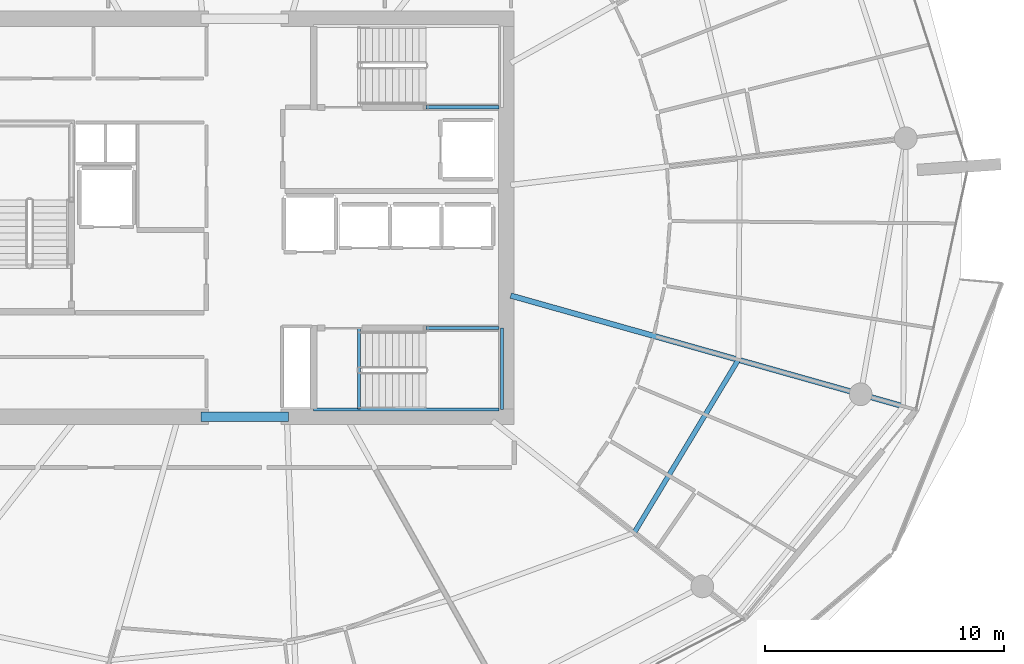
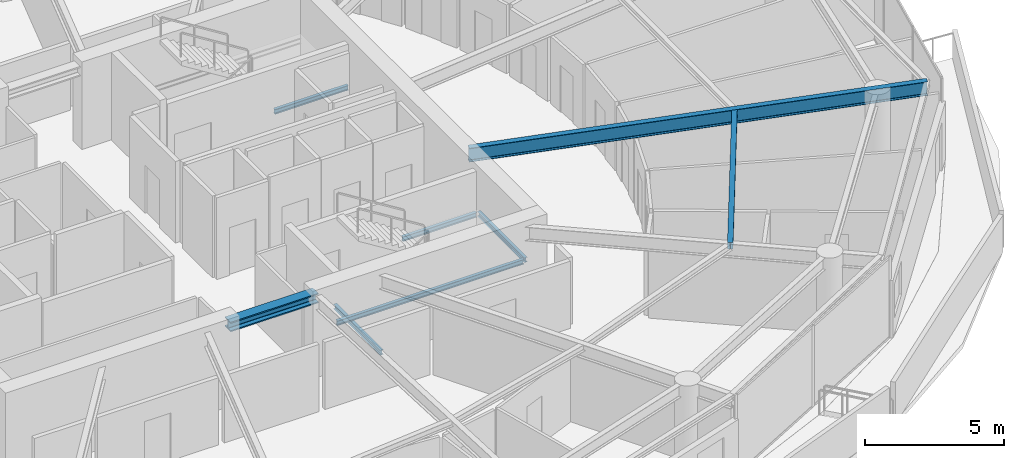
# One storey, part 9 of 30: 8 beams.
"""IFC4 building model written with IfcOpenShell, lengths in metres."""

from ifc_helpers import new_model, si_unit, direction, frame, origin, origin_2d, place, context, subcontext, project, spatial, i_section, extrude, material, material_profile, profile_set, type_object, element, save


model = new_model("IFC4")

# Units and contexts
model_context = context("Model", 3, precision=1e-05, world=origin(), true_north=direction((0.0, 1.0)))
body_context = subcontext(model_context, "Body", "Model", "MODEL_VIEW")
ifc_project = project(units=[si_unit("LENGTHUNIT", "METRE"), si_unit("AREAUNIT", "SQUARE_METRE"), si_unit("VOLUMEUNIT", "CUBIC_METRE"), si_unit("PLANEANGLEUNIT", "RADIAN"), si_unit("MASSUNIT", "GRAM", prefix="KILO")], contexts=[model_context])

# Site, building, storey
site_placement = place(None, origin())
site = spatial("IfcSite", under=ifc_project, at=site_placement, CompositionType="ELEMENT")
building_placement = place(site_placement, origin())
building = spatial("IfcBuilding", under=site, at=building_placement, Name="Kazma Halo Residences", CompositionType="ELEMENT")
storey_placement = place(building_placement, frame((0.0, 0.0, 255.949951171875)))
storey = spatial("IfcBuildingStorey", under=building, at=storey_placement, Name="L64", CompositionType="ELEMENT", Elevation=255.949951171875)

# Beams
ifc_material = material(Name="Steel S355", Category="steel")
ifc_material_profile_1 = material_profile(ifc_material, i_section(OverallWidth=0.408935546875, OverallDepth=0.425048828125, WebThickness=0.03271484375, FlangeThickness=0.052490234375, FilletRadius=0.02001953125, at=origin_2d()), Name="W360x421")
ifc_profile_set_1 = profile_set([ifc_material_profile_1], Name="Steel S355")
beam_type_1 = type_object("IfcBeamType", Name="BM-CORE-W360H", PredefinedType="BEAM", material=ifc_profile_set_1)
beam_1_placement = place(storey_placement, frame((46.60009765625, 33.675048828125, 3.37744140625), z_axis=(1.0, 0.0, 0.0), x_axis=(0.0, 1.0, 0.0)))
element("IfcBeam", 1, at=beam_1_placement, inside=storey, type_object=beam_type_1, Name="L64 core coupling beam S", PredefinedType="BEAM", context=body_context, shape_type="SweptSolid", body=[
    extrude(i_section(OverallWidth=0.408935546875, OverallDepth=0.425048828125, WebThickness=0.03271484375, FlangeThickness=0.052490234375, FilletRadius=0.02001953125, at=origin_2d()), origin(), (0.0, 0.0, 1.0), 3.64990234375),
])
ifc_material_profile_2 = material_profile(ifc_material, i_section(OverallWidth=0.22802734375, OverallDepth=0.60791015625, WebThickness=0.01123046875, FlangeThickness=0.017333984375, FilletRadius=0.01806640625, at=origin_2d()), Name="W610x113")
ifc_profile_set_2 = profile_set([ifc_material_profile_2], Name="Steel S355")
beam_type_2 = type_object("IfcBeamType", Name="BM-RAD-W610", PredefinedType="BEAM", material=ifc_profile_set_2)
beam_2_placement = place(storey_placement, frame((59.550048828125, 38.74267578125, 3.2861328125), z_axis=(0.96245092213, -0.271455746837, 0.0), x_axis=(0.271455746837, 0.96245092213, 0.0)))
element("IfcBeam", 2, at=beam_2_placement, inside=storey, type_object=beam_type_2, Name="L64 radial floor beam 15", PredefinedType="BEAM", context=body_context, shape_type="SweptSolid", body=[
    extrude(i_section(OverallWidth=0.22802734375, OverallDepth=0.60791015625, WebThickness=0.01123046875, FlangeThickness=0.017333984375, FilletRadius=0.01806640625, at=origin_2d()), origin(), (0.0, 0.0, 1.0), 17.06201171875),
])
ifc_material_profile_3 = material_profile(ifc_material, i_section(OverallWidth=0.202880859375, OverallDepth=0.302978515625, WebThickness=0.007568359375, FlangeThickness=0.01318359375, FilletRadius=0.013916015625, at=origin_2d()), Name="W310x60")
ifc_profile_set_3 = profile_set([ifc_material_profile_3], Name="Steel S355")
beam_type_3 = type_object("IfcBeamType", Name="BM-SEC-W310A", PredefinedType="JOIST", material=ifc_profile_set_3)
beam_3_placement = place(storey_placement, frame((64.719482421875, 28.8193359375, 3.4384765625), z_axis=(0.515604761061, 0.856826546257, 0.0), x_axis=(-0.856826546257, 0.515604761061, 0.0)))
element("IfcBeam", 3, at=beam_3_placement, inside=storey, type_object=beam_type_3, Name="L64 circumferential floor joist 14", PredefinedType="JOIST", context=body_context, shape_type="SweptSolid", body=[
    extrude(i_section(OverallWidth=0.202880859375, OverallDepth=0.302978515625, WebThickness=0.007568359375, FlangeThickness=0.01318359375, FilletRadius=0.013916015625, at=origin_2d()), origin(), (0.0, 0.0, 1.0), 8.4462890625),
])
ifc_material_profile_4 = material_profile(ifc_material, i_section(OverallWidth=0.133056640625, OverallDepth=0.20703125, WebThickness=0.005859375, FlangeThickness=0.00830078125, FilletRadius=0.010009765625, at=origin_2d()), Name="W200x26.6")
ifc_profile_set_4 = profile_set([ifc_material_profile_4], Name="Steel S355")
beam_type_4 = type_object("IfcBeamType", Name="BM-TRIM-W200", PredefinedType="BEAM", material=ifc_profile_set_4)
beam_4_placement = place(storey_placement, frame((53.199951171875, 34.0, -0.369873046875), z_axis=(0.0, 1.0, 0.0), x_axis=(-1.0, 0.0, 0.0)))
element("IfcBeam", 4, at=beam_4_placement, inside=storey, type_object=beam_type_4, Name="L64 ST-03 floor landing support beam", PredefinedType="BEAM", context=body_context, shape_type="SweptSolid", body=[
    extrude(i_section(OverallWidth=0.133056640625, OverallDepth=0.20703125, WebThickness=0.005859375, FlangeThickness=0.00830078125, FilletRadius=0.010009765625, at=origin_2d()), origin(), (0.0, 0.0, 1.0), 3.3798828125),
])
beam_5_placement = place(storey_placement, frame((56.0, 46.6201171875, 1.6201171875), z_axis=(1.0, 0.0, 0.0), x_axis=(0.0, 1.0, 0.0)))
element("IfcBeam", 5, at=beam_5_placement, inside=storey, type_object=beam_type_4, Name="L64 ST-02 landing south wall ledger", PredefinedType="BEAM", context=body_context, shape_type="SweptSolid", body=[
    extrude(i_section(OverallWidth=0.133056640625, OverallDepth=0.20703125, WebThickness=0.005859375, FlangeThickness=0.00830078125, FilletRadius=0.010009765625, at=origin_2d()), origin(), (0.0, 0.0, 1.0), 3.070068359375),
])
beam_6_placement = place(storey_placement, frame((51.31005859375, 33.97998046875, 1.6201171875), z_axis=(1.0, 0.0, 0.0), x_axis=(0.0, 1.0, 0.0)))
element("IfcBeam", 6, at=beam_6_placement, inside=storey, type_object=beam_type_4, Name="L64 ST-03 landing south wall ledger", PredefinedType="BEAM", context=body_context, shape_type="SweptSolid", body=[
    extrude(i_section(OverallWidth=0.133056640625, OverallDepth=0.20703125, WebThickness=0.005859375, FlangeThickness=0.00830078125, FilletRadius=0.010009765625, at=origin_2d()), origin(), (0.0, 0.0, 1.0), 7.760009765625),
])
beam_7_placement = place(storey_placement, frame((56.0, 37.3798828125, 1.6201171875), z_axis=(1.0, 0.0, 0.0), x_axis=(0.0, 1.0, 0.0)))
element("IfcBeam", 7, at=beam_7_placement, inside=storey, type_object=beam_type_4, Name="L64 ST-03 landing north wall ledger", PredefinedType="BEAM", context=body_context, shape_type="SweptSolid", body=[
    extrude(i_section(OverallWidth=0.133056640625, OverallDepth=0.20703125, WebThickness=0.005859375, FlangeThickness=0.00830078125, FilletRadius=0.010009765625, at=origin_2d()), origin(), (0.0, 0.0, 1.0), 3.070068359375),
])
beam_8_placement = place(storey_placement, frame((59.18994140625, 33.97998046875, 1.6201171875), z_axis=(0.0, 1.0, 0.0), x_axis=(-1.0, 0.0, 0.0)))
element("IfcBeam", 8, at=beam_8_placement, inside=storey, type_object=beam_type_4, Name="L64 ST-03 landing end wall ledger", PredefinedType="BEAM", context=body_context, shape_type="SweptSolid", body=[
    extrude(i_section(OverallWidth=0.133056640625, OverallDepth=0.20703125, WebThickness=0.005859375, FlangeThickness=0.00830078125, FilletRadius=0.010009765625, at=origin_2d()), origin(), (0.0, 0.0, 1.0), 3.39990234375),
])

save(model, "model.ifc")
